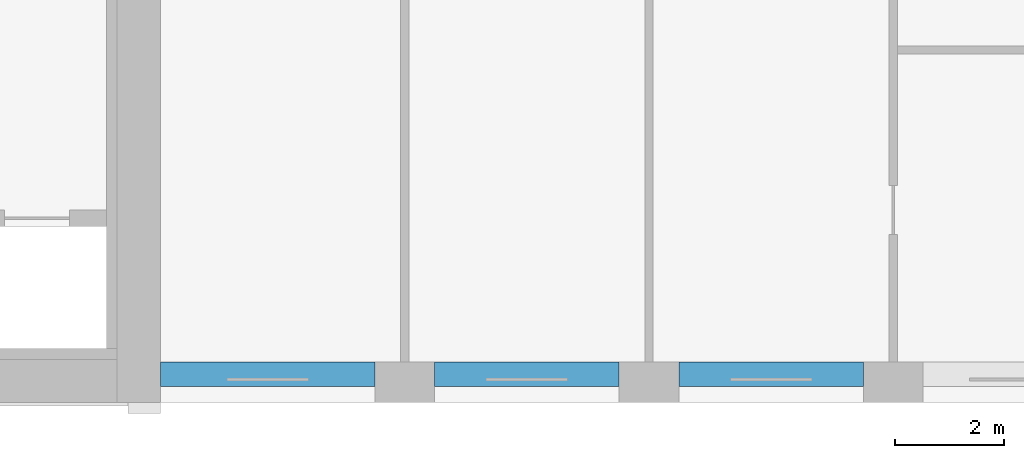
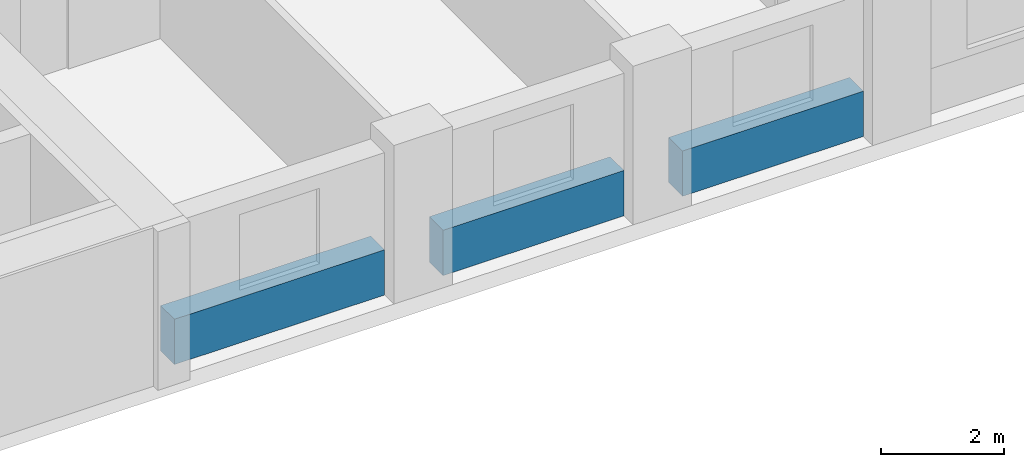
# One storey, part 3 of 17: 3 beams.
"""IFC4 building model written with IfcOpenShell, lengths in metres."""

from ifc_helpers import new_model, si_unit, direction, frame, origin, origin_2d, place, context, subcontext, project, spatial, rectangle, extrude, material, material_profile, profile_set, type_object, element, save


model = new_model("IFC4")

# Units and contexts
model_context = context("Model", 3, precision=1e-05, world=origin(), true_north=direction((0.0, 1.0)))
body_context = subcontext(model_context, "Body", "Model", "MODEL_VIEW")
ifc_project = project(units=[si_unit("LENGTHUNIT", "METRE"), si_unit("AREAUNIT", "SQUARE_METRE"), si_unit("VOLUMEUNIT", "CUBIC_METRE"), si_unit("PLANEANGLEUNIT", "RADIAN"), si_unit("MASSUNIT", "GRAM", prefix="KILO")], contexts=[model_context])

# Site, building, storey
site_placement = place(None, origin())
site = spatial("IfcSite", under=ifc_project, at=site_placement, CompositionType="ELEMENT")
building_placement = place(site_placement, origin())
building = spatial("IfcBuilding", under=site, at=building_placement, Name="Brigalow Station Residences", CompositionType="ELEMENT")
storey_placement = place(building_placement, frame((0.0, 0.0, 111.89990234375)))
storey = spatial("IfcBuildingStorey", under=building, at=storey_placement, Name="L32", CompositionType="ELEMENT", Elevation=111.89990234375)

# Beams
ifc_material = material(Name="Concrete C65", Category="concrete")
ifc_material_profile = material_profile(ifc_material, rectangle(XDim=0.449951171875, YDim=0.89990234375, at=origin_2d()), Name="RC450x900")
ifc_profile_set = profile_set([ifc_material_profile], Name="Concrete C65")
beam_type = type_object("IfcBeamType", Name="SPANDREL BEAM 450x900 C65", PredefinedType="SPANDREL", material=ifc_profile_set)
beam_placement = place(storey_placement, frame((54.0, 0.52490234375, 0.4501953125), z_axis=(1.0, 0.0, 0.0), x_axis=(0.0, 1.0, 0.0)))
element("IfcBeam", 1, at=beam_placement, inside=storey, type_object=beam_type, Name="L32/spandrel/W-L32-4", PredefinedType="SPANDREL", context=body_context, shape_type="SweptSolid", body=[
    extrude(rectangle(XDim=0.449951171875, YDim=0.89990234375, at=origin_2d()), origin(), (0.0, 0.0, 1.0), 3.949951171875),
])
for number, where, z_axis, x_axis, name in (
    (2, (59.050048828125, 0.52490234375, 0.4501953125), (1.0, 0.0, 0.0), (0.0, 1.0, 0.0), "L32/spandrel/W-L32-5"),
    (3, (63.550048828125, 0.52490234375, 0.4501953125), (1.0, 0.0, 0.0), (0.0, 1.0, 0.0), "L32/spandrel/W-L32-6"),
):
    element("IfcBeam", number, at=place(storey_placement, frame(where, z_axis=z_axis, x_axis=x_axis)), inside=storey, type_object=beam_type, Name=name, PredefinedType="SPANDREL", context=body_context, shape_type="SweptSolid", body=[
        extrude(rectangle(XDim=0.449951171875, YDim=0.89990234375, at=origin_2d()), origin(), (0.0, 0.0, 1.0), 3.39990234375),
    ])

save(model, "model.ifc")
